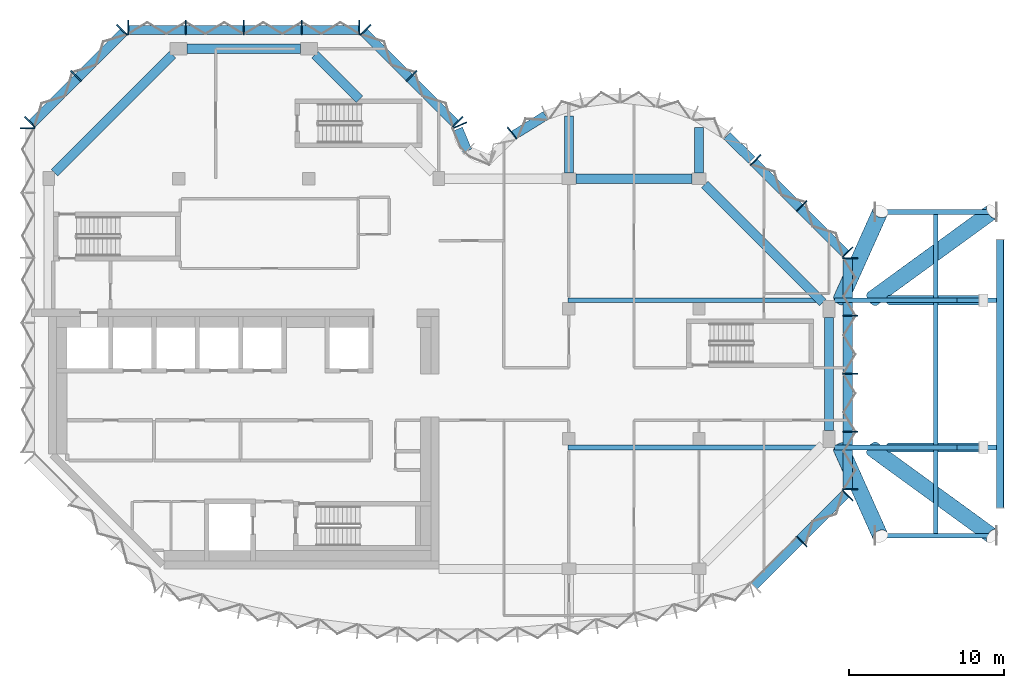
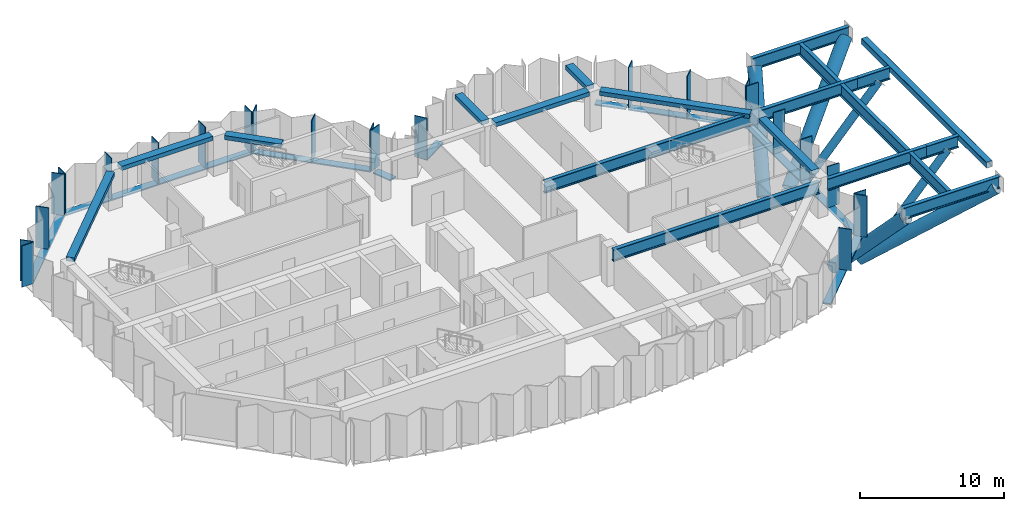
# One storey, part 2 of 11: 41 members, 18 beams, 9 elements without a shape of their own.
"""IFC4 building model written with IfcOpenShell, lengths in metres."""

from ifc_helpers import new_model, si_unit, direction, frame, origin, origin_2d, place, context, subcontext, project, spatial, rectangle, hollow_rectangle, hollow_circle, i_section, extrude, material, material_profile, profile_set, type_object, element, aggregate, save


model = new_model("IFC4")

# Units and contexts
model_context = context("Model", 3, precision=1e-05, world=origin(), true_north=direction((0.0, 1.0)))
body_context = subcontext(model_context, "Body", "Model", "MODEL_VIEW")
ifc_project = project(units=[si_unit("LENGTHUNIT", "METRE"), si_unit("AREAUNIT", "SQUARE_METRE"), si_unit("VOLUMEUNIT", "CUBIC_METRE"), si_unit("PLANEANGLEUNIT", "RADIAN"), si_unit("MASSUNIT", "GRAM", prefix="KILO")], contexts=[model_context])

# Site, building, storey
site_placement = place(None, origin())
site = spatial("IfcSite", under=ifc_project, at=site_placement, CompositionType="ELEMENT")
building_placement = place(site_placement, origin())
building = spatial("IfcBuilding", under=site, at=building_placement, Name="Brevane Broadcast Tower", CompositionType="ELEMENT")
storey_placement = place(building_placement, frame((0.0, 0.0, 219.300048828125)))
storey = spatial("IfcBuildingStorey", under=building, at=storey_placement, Name="L55", CompositionType="ELEMENT", Elevation=219.300048828125)

# Curtain wall, members
ifc_material_1 = material(Name="Aluminium 6063-T6 bronze anodised", Category="aluminium")
curtain_wall_type = type_object("IfcCurtainWallType", Name="CW-1 curtain wall", PredefinedType="NOTDEFINED", material=ifc_material_1)
curtain_wall_1_placement = place(storey_placement, origin())
curtain_wall_1 = element("IfcCurtainWall", 1, at=curtain_wall_1_placement, inside=storey, type_object=curtain_wall_type, Name="CW-1 typical tilted unit L55 south-east chamfer", PredefinedType="NOTDEFINED")
ifc_material_profile_1 = material_profile(ifc_material_1, rectangle(XDim=0.949951171875, YDim=0.070068359375, at=origin_2d()), Name="RECT 70x950")
ifc_profile_set_1 = profile_set([ifc_material_profile_1], Name="Aluminium 6063-T6 bronze anodised")
member_type_1 = type_object("IfcMemberType", Name="CW-1 mullion 70x950", PredefinedType="MULLION", material=ifc_profile_set_1)
member_1_placement = place(storey_placement, frame((48.635986328125, 1.76416015625, -0.150146484375), z_axis=(0.0, 0.0, 1.0), x_axis=(-0.707106781187, 0.707106781187, 0.0)))
member_1 = element("IfcMember", 2, at=member_1_placement, type_object=member_type_1, Name="CW-1 mullion", PredefinedType="MULLION", context=body_context, shape_type="SweptSolid", body=[
    extrude(rectangle(XDim=0.949951171875, YDim=0.070068359375, at=origin_2d()), origin(), (0.0, 0.0, 1.0), 3.5),
])
member_2_placement = place(storey_placement, frame((51.611083984375, 4.7392578125, -0.150146484375), z_axis=(0.0, 0.0, 1.0), x_axis=(-0.707106781187, 0.707106781187, 0.0)))
member_2 = element("IfcMember", 3, at=member_2_placement, type_object=member_type_1, Name="CW-1 mullion", PredefinedType="MULLION", context=body_context, shape_type="SweptSolid", body=[
    extrude(rectangle(XDim=0.949951171875, YDim=0.070068359375, at=origin_2d()), origin(), (0.0, 0.0, 1.0), 3.5),
])

curtain_wall_2_placement = place(storey_placement, origin())
curtain_wall_2 = element("IfcCurtainWall", 4, at=curtain_wall_2_placement, inside=storey, type_object=curtain_wall_type, Name="CW-1 typical tilted unit L55 east end", PredefinedType="NOTDEFINED")
member_3_placement = place(storey_placement, frame((51.77490234375, 5.135009765625, -0.150146484375), z_axis=(0.0, 0.0, 1.0), x_axis=(-1.0, 0.0, 0.0)))
member_3 = element("IfcMember", 5, at=member_3_placement, type_object=member_type_1, Name="CW-1 mullion", PredefinedType="MULLION", context=body_context, shape_type="SweptSolid", body=[
    extrude(rectangle(XDim=0.949951171875, YDim=0.070068359375, at=origin_2d()), origin(), (0.0, 0.0, 1.0), 3.5),
])
member_4_placement = place(storey_placement, frame((51.77490234375, 8.85009765625, -0.150146484375), z_axis=(0.0, 0.0, 1.0), x_axis=(-1.0, 0.0, 0.0)))
member_4 = element("IfcMember", 6, at=member_4_placement, type_object=member_type_1, Name="CW-1 mullion", PredefinedType="MULLION", context=body_context, shape_type="SweptSolid", body=[
    extrude(rectangle(XDim=0.949951171875, YDim=0.070068359375, at=origin_2d()), origin(), (0.0, 0.0, 1.0), 3.5),
])
member_5_placement = place(storey_placement, frame((51.77490234375, 12.60009765625, -0.150146484375), z_axis=(0.0, 0.0, 1.0), x_axis=(-1.0, 0.0, 0.0)))
member_5 = element("IfcMember", 7, at=member_5_placement, type_object=member_type_1, Name="CW-1 mullion", PredefinedType="MULLION", context=body_context, shape_type="SweptSolid", body=[
    extrude(rectangle(XDim=0.949951171875, YDim=0.070068359375, at=origin_2d()), origin(), (0.0, 0.0, 1.0), 3.5),
])
member_6_placement = place(storey_placement, frame((51.77490234375, 16.35009765625, -0.150146484375), z_axis=(0.0, 0.0, 1.0), x_axis=(-1.0, 0.0, 0.0)))
member_6 = element("IfcMember", 8, at=member_6_placement, type_object=member_type_1, Name="CW-1 mullion", PredefinedType="MULLION", context=body_context, shape_type="SweptSolid", body=[
    extrude(rectangle(XDim=0.949951171875, YDim=0.070068359375, at=origin_2d()), origin(), (0.0, 0.0, 1.0), 3.5),
])
member_7_placement = place(storey_placement, frame((51.77490234375, 20.06494140625, -0.150146484375), z_axis=(0.0, 0.0, 1.0), x_axis=(-1.0, 0.0, 0.0)))
member_7 = element("IfcMember", 9, at=member_7_placement, type_object=member_type_1, Name="CW-1 mullion", PredefinedType="MULLION", context=body_context, shape_type="SweptSolid", body=[
    extrude(rectangle(XDim=0.949951171875, YDim=0.070068359375, at=origin_2d()), origin(), (0.0, 0.0, 1.0), 3.5),
])

curtain_wall_3_placement = place(storey_placement, origin())
curtain_wall_3 = element("IfcCurtainWall", 10, at=curtain_wall_3_placement, inside=storey, type_object=curtain_wall_type, Name="CW-1 typical tilted unit L55 north-east chamfer", PredefinedType="NOTDEFINED")
member_8_placement = place(storey_placement, frame((51.611083984375, 20.460693359375, -0.150146484375), z_axis=(0.0, 0.0, 1.0), x_axis=(-0.707106781187, -0.707106781187, 0.0)))
member_8 = element("IfcMember", 11, at=member_8_placement, type_object=member_type_1, Name="CW-1 mullion", PredefinedType="MULLION", context=body_context, shape_type="SweptSolid", body=[
    extrude(rectangle(XDim=0.949951171875, YDim=0.070068359375, at=origin_2d()), origin(), (0.0, 0.0, 1.0), 3.5),
])
member_9_placement = place(storey_placement, frame((48.635986328125, 23.435791015625, -0.150146484375), z_axis=(0.0, 0.0, 1.0), x_axis=(-0.707106781187, -0.707106781187, 0.0)))
member_9 = element("IfcMember", 12, at=member_9_placement, type_object=member_type_1, Name="CW-1 mullion", PredefinedType="MULLION", context=body_context, shape_type="SweptSolid", body=[
    extrude(rectangle(XDim=0.949951171875, YDim=0.070068359375, at=origin_2d()), origin(), (0.0, 0.0, 1.0), 3.5),
])
member_10_placement = place(storey_placement, frame((45.66064453125, 26.4111328125, -0.150146484375), z_axis=(0.0, 0.0, 1.0), x_axis=(-0.707106781187, -0.707106781187, 0.0)))
member_10 = element("IfcMember", 13, at=member_10_placement, type_object=member_type_1, Name="CW-1 mullion", PredefinedType="MULLION", context=body_context, shape_type="SweptSolid", body=[
    extrude(rectangle(XDim=0.949951171875, YDim=0.070068359375, at=origin_2d()), origin(), (0.0, 0.0, 1.0), 3.5),
])

# Curtain wall, member
curtain_wall_4_placement = place(storey_placement, origin())
curtain_wall_4 = element("IfcCurtainWall", 14, at=curtain_wall_4_placement, inside=storey, type_object=curtain_wall_type, Name="CW-1 typical tilted unit L55 east bow", PredefinedType="NOTDEFINED")
member_11_placement = place(storey_placement, frame((29.927978515625, 28.1455078125, -0.150146484375), z_axis=(0.0, 0.0, 1.0), x_axis=(0.614769698862, -0.788706673841, 0.0)))
member_11 = element("IfcMember", 15, at=member_11_placement, type_object=member_type_1, Name="CW-1 mullion", PredefinedType="MULLION", context=body_context, shape_type="SweptSolid", body=[
    extrude(rectangle(XDim=0.949951171875, YDim=0.070068359375, at=origin_2d()), origin(), (0.0, 0.0, 1.0), 3.5),
])

curtain_wall_5_placement = place(storey_placement, origin())
curtain_wall_5 = element("IfcCurtainWall", 16, at=curtain_wall_5_placement, inside=storey, type_object=curtain_wall_type, Name="CW-1 typical tilted unit L55 inner corner", PredefinedType="NOTDEFINED")
member_12_placement = place(storey_placement, frame((26.55224609375, 28.6494140625, -0.150146484375), z_axis=(0.0, 0.0, 1.0), x_axis=(-0.923879532511, -0.382683432365, 0.0)))
member_12 = element("IfcMember", 17, at=member_12_placement, type_object=member_type_1, Name="CW-1 mullion", PredefinedType="MULLION", context=body_context, shape_type="SweptSolid", body=[
    extrude(rectangle(XDim=0.949951171875, YDim=0.070068359375, at=origin_2d()), origin(), (0.0, 0.0, 1.0), 3.5),
])

# Curtain wall, members
curtain_wall_6_placement = place(storey_placement, origin())
curtain_wall_6 = element("IfcCurtainWall", 18, at=curtain_wall_6_placement, inside=storey, type_object=curtain_wall_type, Name="CW-1 typical tilted unit L55 north arm north-east chamfer", PredefinedType="NOTDEFINED")
member_13_placement = place(storey_placement, frame((26.4111328125, 28.860595703125, -0.150146484375), z_axis=(0.0, 0.0, 1.0), x_axis=(-0.707106781187, -0.707106781187, 0.0)))
member_13 = element("IfcMember", 19, at=member_13_placement, type_object=member_type_1, Name="CW-1 mullion", PredefinedType="MULLION", context=body_context, shape_type="SweptSolid", body=[
    extrude(rectangle(XDim=0.949951171875, YDim=0.070068359375, at=origin_2d()), origin(), (0.0, 0.0, 1.0), 3.5),
])
member_14_placement = place(storey_placement, frame((23.435791015625, 31.8359375, -0.150146484375), z_axis=(0.0, 0.0, 1.0), x_axis=(-0.707106781187, -0.707106781187, 0.0)))
member_14 = element("IfcMember", 20, at=member_14_placement, type_object=member_type_1, Name="CW-1 mullion", PredefinedType="MULLION", context=body_context, shape_type="SweptSolid", body=[
    extrude(rectangle(XDim=0.949951171875, YDim=0.070068359375, at=origin_2d()), origin(), (0.0, 0.0, 1.0), 3.5),
])
member_15_placement = place(storey_placement, frame((20.460693359375, 34.81103515625, -0.150146484375), z_axis=(0.0, 0.0, 1.0), x_axis=(-0.707106781187, -0.707106781187, 0.0)))
member_15 = element("IfcMember", 21, at=member_15_placement, type_object=member_type_1, Name="CW-1 mullion", PredefinedType="MULLION", context=body_context, shape_type="SweptSolid", body=[
    extrude(rectangle(XDim=0.949951171875, YDim=0.070068359375, at=origin_2d()), origin(), (0.0, 0.0, 1.0), 3.5),
])

curtain_wall_7_placement = place(storey_placement, origin())
curtain_wall_7 = element("IfcCurtainWall", 22, at=curtain_wall_7_placement, inside=storey, type_object=curtain_wall_type, Name="CW-1 typical tilted unit L55 north end", PredefinedType="NOTDEFINED")
member_16_placement = place(storey_placement, frame((20.06494140625, 34.97509765625, -0.150146484375), z_axis=(0.0, 0.0, 1.0), x_axis=(0.0, -1.0, 0.0)))
member_16 = element("IfcMember", 23, at=member_16_placement, type_object=member_type_1, Name="CW-1 mullion", PredefinedType="MULLION", context=body_context, shape_type="SweptSolid", body=[
    extrude(rectangle(XDim=0.949951171875, YDim=0.070068359375, at=origin_2d()), origin(), (0.0, 0.0, 1.0), 3.5),
])
member_17_placement = place(storey_placement, frame((16.35009765625, 34.97509765625, -0.150146484375), z_axis=(0.0, 0.0, 1.0), x_axis=(0.0, -1.0, 0.0)))
member_17 = element("IfcMember", 24, at=member_17_placement, type_object=member_type_1, Name="CW-1 mullion", PredefinedType="MULLION", context=body_context, shape_type="SweptSolid", body=[
    extrude(rectangle(XDim=0.949951171875, YDim=0.070068359375, at=origin_2d()), origin(), (0.0, 0.0, 1.0), 3.5),
])
member_18_placement = place(storey_placement, frame((12.60009765625, 34.97509765625, -0.150146484375), z_axis=(0.0, 0.0, 1.0), x_axis=(0.0, -1.0, 0.0)))
member_18 = element("IfcMember", 25, at=member_18_placement, type_object=member_type_1, Name="CW-1 mullion", PredefinedType="MULLION", context=body_context, shape_type="SweptSolid", body=[
    extrude(rectangle(XDim=0.949951171875, YDim=0.070068359375, at=origin_2d()), origin(), (0.0, 0.0, 1.0), 3.5),
])
member_19_placement = place(storey_placement, frame((8.85009765625, 34.97509765625, -0.150146484375), z_axis=(0.0, 0.0, 1.0), x_axis=(0.0, -1.0, 0.0)))
member_19 = element("IfcMember", 26, at=member_19_placement, type_object=member_type_1, Name="CW-1 mullion", PredefinedType="MULLION", context=body_context, shape_type="SweptSolid", body=[
    extrude(rectangle(XDim=0.949951171875, YDim=0.070068359375, at=origin_2d()), origin(), (0.0, 0.0, 1.0), 3.5),
])
member_20_placement = place(storey_placement, frame((5.135009765625, 34.97509765625, -0.150146484375), z_axis=(0.0, 0.0, 1.0), x_axis=(0.0, -1.0, 0.0)))
member_20 = element("IfcMember", 27, at=member_20_placement, type_object=member_type_1, Name="CW-1 mullion", PredefinedType="MULLION", context=body_context, shape_type="SweptSolid", body=[
    extrude(rectangle(XDim=0.949951171875, YDim=0.070068359375, at=origin_2d()), origin(), (0.0, 0.0, 1.0), 3.5),
])

curtain_wall_8_placement = place(storey_placement, origin())
curtain_wall_8 = element("IfcCurtainWall", 28, at=curtain_wall_8_placement, inside=storey, type_object=curtain_wall_type, Name="CW-1 typical tilted unit L55 north-west chamfer", PredefinedType="NOTDEFINED")
member_21_placement = place(storey_placement, frame((4.7392578125, 34.81103515625, -0.150146484375), z_axis=(0.0, 0.0, 1.0), x_axis=(0.707106781187, -0.707106781187, 0.0)))
member_21 = element("IfcMember", 29, at=member_21_placement, type_object=member_type_1, Name="CW-1 mullion", PredefinedType="MULLION", context=body_context, shape_type="SweptSolid", body=[
    extrude(rectangle(XDim=0.949951171875, YDim=0.070068359375, at=origin_2d()), origin(), (0.0, 0.0, 1.0), 3.5),
])
member_22_placement = place(storey_placement, frame((1.76416015625, 31.8359375, -0.150146484375), z_axis=(0.0, 0.0, 1.0), x_axis=(0.707106781187, -0.707106781187, 0.0)))
member_22 = element("IfcMember", 30, at=member_22_placement, type_object=member_type_1, Name="CW-1 mullion", PredefinedType="MULLION", context=body_context, shape_type="SweptSolid", body=[
    extrude(rectangle(XDim=0.949951171875, YDim=0.070068359375, at=origin_2d()), origin(), (0.0, 0.0, 1.0), 3.5),
])
member_23_placement = place(storey_placement, frame((-1.211181640625, 28.860595703125, -0.150146484375), z_axis=(0.0, 0.0, 1.0), x_axis=(0.707106781187, -0.707106781187, 0.0)))
member_23 = element("IfcMember", 31, at=member_23_placement, type_object=member_type_1, Name="CW-1 mullion", PredefinedType="MULLION", context=body_context, shape_type="SweptSolid", body=[
    extrude(rectangle(XDim=0.949951171875, YDim=0.070068359375, at=origin_2d()), origin(), (0.0, 0.0, 1.0), 3.5),
])

# Curtain wall, member
curtain_wall_9_placement = place(storey_placement, origin())
curtain_wall_9 = element("IfcCurtainWall", 32, at=curtain_wall_9_placement, inside=storey, type_object=curtain_wall_type, Name="CW-1 typical tilted unit L55 west face", PredefinedType="NOTDEFINED")
member_24_placement = place(storey_placement, frame((-1.375, 28.465087890625, -0.150146484375), z_axis=(0.0, 0.0, 1.0), x_axis=(1.0, 0.0, 0.0)))
member_24 = element("IfcMember", 33, at=member_24_placement, type_object=member_type_1, Name="CW-1 mullion", PredefinedType="MULLION", context=body_context, shape_type="SweptSolid", body=[
    extrude(rectangle(XDim=0.949951171875, YDim=0.070068359375, at=origin_2d()), origin(), (0.0, 0.0, 1.0), 3.5),
])
aggregate(curtain_wall_9, [member_24])

# Member
ifc_material_profile_2 = material_profile(ifc_material_1, rectangle(XDim=0.60009765625, YDim=0.10009765625, at=origin_2d()), Name="RECT 100x600")
ifc_profile_set_2 = profile_set([ifc_material_profile_2], Name="Aluminium 6063-T6 bronze anodised")
member_type_2 = type_object("IfcMemberType", Name="CW-1 transom 100x600", PredefinedType="USERDEFINED", material=ifc_profile_set_2)
member_25_placement = place(storey_placement, frame((45.51220703125, -1.112060546875, -0.199951171875), z_axis=(0.707106781187, 0.707106781187, 0.0), x_axis=(-0.707106781187, 0.707106781187, 0.0)))
member_25 = element("IfcMember", 34, at=member_25_placement, type_object=member_type_2, Name="CW-1 transom", ObjectType="TRANSOM", PredefinedType="USERDEFINED", context=body_context, shape_type="SweptSolid", body=[
    extrude(rectangle(XDim=0.60009765625, YDim=0.10009765625, at=origin_2d()), origin(), (0.0, 0.0, 1.0), 8.4853515625),
])

aggregate(curtain_wall_1, [member_1, member_2, member_25])

member_26_placement = place(storey_placement, frame((51.60009765625, 5.10009765625, -0.199951171875), z_axis=(0.0, 1.0, 0.0), x_axis=(-1.0, 0.0, 0.0)))
member_26 = element("IfcMember", 35, at=member_26_placement, type_object=member_type_2, Name="CW-1 transom", ObjectType="TRANSOM", PredefinedType="USERDEFINED", context=body_context, shape_type="SweptSolid", body=[
    extrude(rectangle(XDim=0.60009765625, YDim=0.10009765625, at=origin_2d()), origin(), (0.0, 0.0, 1.0), 15.0),
])

aggregate(curtain_wall_2, [member_3, member_4, member_5, member_6, member_7, member_26])

member_27_placement = place(storey_placement, frame((51.51220703125, 20.31201171875, -0.199951171875), z_axis=(-0.707106781187, 0.707106781187, 0.0), x_axis=(-0.707106781187, -0.707106781187, 0.0)))
member_27 = element("IfcMember", 36, at=member_27_placement, type_object=member_type_2, Name="CW-1 transom", ObjectType="TRANSOM", PredefinedType="USERDEFINED", context=body_context, shape_type="SweptSolid", body=[
    extrude(rectangle(XDim=0.60009765625, YDim=0.10009765625, at=origin_2d()), origin(), (0.0, 0.0, 1.0), 8.4853515625),
])

aggregate(curtain_wall_3, [member_8, member_9, member_10, member_27])

member_28_placement = place(storey_placement, frame((45.412841796875, 26.407958984375, -0.199951171875), z_axis=(-0.71724215871, 0.696823999134, 0.0), x_axis=(-0.696823999134, -0.71724215871, 0.0)))
member_28 = element("IfcMember", 37, at=member_28_placement, type_object=member_type_2, Name="CW-1 transom", ObjectType="TRANSOM", PredefinedType="USERDEFINED", context=body_context, shape_type="SweptSolid", body=[
    extrude(rectangle(XDim=0.60009765625, YDim=0.10009765625, at=origin_2d()), origin(), (0.0, 0.0, 1.0), 2.247802734375),
])

member_29_placement = place(storey_placement, frame((32.09521484375, 29.281494140625, -0.199951171875), z_axis=(-0.850838211365, -0.525427766759, 0.0), x_axis=(0.525427766759, -0.850838211365, 0.0)))
member_29 = element("IfcMember", 38, at=member_29_placement, type_object=member_type_2, Name="CW-1 transom", ObjectType="TRANSOM", PredefinedType="USERDEFINED", context=body_context, shape_type="SweptSolid", body=[
    extrude(rectangle(XDim=0.60009765625, YDim=0.10009765625, at=origin_2d()), origin(), (0.0, 0.0, 1.0), 2.394775390625),
])

aggregate(curtain_wall_4, [member_11, member_28, member_29])

member_30_placement = place(storey_placement, frame((27.039794921875, 27.0, -0.199951171875), z_axis=(-0.382674472816, 0.923883243627, 0.0), x_axis=(-0.923883243627, -0.382674472816, 0.0)))
member_30 = element("IfcMember", 39, at=member_30_placement, type_object=member_type_2, Name="CW-1 transom", ObjectType="TRANSOM", PredefinedType="USERDEFINED", context=body_context, shape_type="SweptSolid", body=[
    extrude(rectangle(XDim=0.60009765625, YDim=0.10009765625, at=origin_2d()), origin(), (0.0, 0.0, 1.0), 1.536865234375),
])

aggregate(curtain_wall_5, [member_12, member_30])

member_31_placement = place(storey_placement, frame((26.31201171875, 28.712158203125, -0.199951171875), z_axis=(-0.707106781187, 0.707106781187, 0.0), x_axis=(-0.707106781187, -0.707106781187, 0.0)))
member_31 = element("IfcMember", 40, at=member_31_placement, type_object=member_type_2, Name="CW-1 transom", ObjectType="TRANSOM", PredefinedType="USERDEFINED", context=body_context, shape_type="SweptSolid", body=[
    extrude(rectangle(XDim=0.60009765625, YDim=0.10009765625, at=origin_2d()), origin(), (0.0, 0.0, 1.0), 8.4853515625),
])

aggregate(curtain_wall_6, [member_13, member_14, member_15, member_31])

member_32_placement = place(storey_placement, frame((20.10009765625, 34.800048828125, -0.199951171875), z_axis=(-1.0, 0.0, 0.0), x_axis=(0.0, -1.0, 0.0)))
member_32 = element("IfcMember", 41, at=member_32_placement, type_object=member_type_2, Name="CW-1 transom", ObjectType="TRANSOM", PredefinedType="USERDEFINED", context=body_context, shape_type="SweptSolid", body=[
    extrude(rectangle(XDim=0.60009765625, YDim=0.10009765625, at=origin_2d()), origin(), (0.0, 0.0, 1.0), 15.0),
])

aggregate(curtain_wall_7, [member_16, member_17, member_18, member_19, member_20, member_32])

member_33_placement = place(storey_placement, frame((4.887939453125, 34.712158203125, -0.199951171875), z_axis=(-0.707106781187, -0.707106781187, 0.0), x_axis=(0.707106781187, -0.707106781187, 0.0)))
member_33 = element("IfcMember", 42, at=member_33_placement, type_object=member_type_2, Name="CW-1 transom", ObjectType="TRANSOM", PredefinedType="USERDEFINED", context=body_context, shape_type="SweptSolid", body=[
    extrude(rectangle(XDim=0.60009765625, YDim=0.10009765625, at=origin_2d()), origin(), (0.0, 0.0, 1.0), 8.4853515625),
])

aggregate(curtain_wall_8, [member_21, member_22, member_23, member_33])

# Beams
ifc_material_2 = material(Name="Concrete C40/50", Category="concrete")
ifc_material_profile_3 = material_profile(ifc_material_2, rectangle(XDim=0.60009765625, YDim=0.35009765625, at=origin_2d()), Name="RC 600x350")
ifc_profile_set_3 = profile_set([ifc_material_profile_3], Name="Concrete C40/50")
beam_type_1 = type_object("IfcBeamType", Name="RC BRACKET BEAM 600x350 C40/50", PredefinedType="BEAM", material=ifc_profile_set_3)
beam_1_placement = place(storey_placement, frame((33.60009765625, 25.574951171875, 3.175048828125), z_axis=(0.0, 1.0, 0.0), x_axis=(-1.0, 0.0, 0.0)))
element("IfcBeam", 43, at=beam_1_placement, inside=storey, type_object=beam_type_1, Name="EB2 L55-2", PredefinedType="BEAM", context=body_context, shape_type="SweptSolid", body=[
    extrude(rectangle(XDim=0.60009765625, YDim=0.35009765625, at=origin_2d()), origin(), (0.0, 0.0, 1.0), 3.68701171875),
])
beam_2_placement = place(storey_placement, frame((42.0, 25.574951171875, 3.175048828125), z_axis=(0.0, 1.0, 0.0), x_axis=(-1.0, 0.0, 0.0)))
element("IfcBeam", 44, at=beam_2_placement, inside=storey, type_object=beam_type_1, Name="EB2 L55-4", PredefinedType="BEAM", context=body_context, shape_type="SweptSolid", body=[
    extrude(rectangle(XDim=0.60009765625, YDim=0.35009765625, at=origin_2d()), origin(), (0.0, 0.0, 1.0), 2.9365234375),
])
ifc_material_profile_4 = material_profile(ifc_material_2, rectangle(XDim=0.60009765625, YDim=0.35009765625, at=origin_2d()), Name="RC 600x350")
ifc_profile_set_4 = profile_set([ifc_material_profile_4], Name="Concrete C40/50")
beam_type_2 = type_object("IfcBeamType", Name="RC SPANDREL BEAM 600x350 C40/50", PredefinedType="SPANDREL", material=ifc_profile_set_4)
beam_3_placement = place(storey_placement, frame((50.39990234375, 8.949951171875, 3.175048828125), z_axis=(0.0, 1.0, 0.0), x_axis=(-1.0, 0.0, 0.0)))
element("IfcBeam", 45, at=beam_3_placement, inside=storey, type_object=beam_type_2, Name="EB1 L55-4", PredefinedType="SPANDREL", context=body_context, shape_type="SweptSolid", body=[
    extrude(rectangle(XDim=0.60009765625, YDim=0.35009765625, at=origin_2d()), origin(), (0.0, 0.0, 1.0), 7.300048828125),
])
beam_4_placement = place(storey_placement, frame((50.0, 17.199951171875, 3.175048828125), z_axis=(-0.707106781187, 0.707106781187, 0.0), x_axis=(-0.707106781187, -0.707106781187, 0.0)))
element("IfcBeam", 46, at=beam_4_placement, inside=storey, type_object=beam_type_2, Name="EB1 L55-5", PredefinedType="SPANDREL", context=body_context, shape_type="SweptSolid", body=[
    extrude(rectangle(XDim=0.60009765625, YDim=0.35009765625, at=origin_2d()), origin(), (0.0, 0.0, 1.0), 10.783447265625),
])
beam_5_placement = place(storey_placement, frame((41.550048828125, 25.199951171875, 3.175048828125), z_axis=(-1.0, 0.0, 0.0), x_axis=(0.0, -1.0, 0.0)))
element("IfcBeam", 47, at=beam_5_placement, inside=storey, type_object=beam_type_2, Name="EB1 L55-6", PredefinedType="SPANDREL", context=body_context, shape_type="SweptSolid", body=[
    extrude(rectangle(XDim=0.60009765625, YDim=0.35009765625, at=origin_2d()), origin(), (0.0, 0.0, 1.0), 7.5),
])
beam_6_placement = place(storey_placement, frame((20.080078125, 30.320068359375, 3.175048828125), z_axis=(-0.707136751593, 0.70707680951, 0.0), x_axis=(-0.70707680951, -0.707136751593, 0.0)))
element("IfcBeam", 48, at=beam_6_placement, inside=storey, type_object=beam_type_2, Name="EB1 L55-12", PredefinedType="SPANDREL", context=body_context, shape_type="SweptSolid", body=[
    extrude(rectangle(XDim=0.60009765625, YDim=0.35009765625, at=origin_2d()), origin(), (0.0, 0.0, 1.0), 4.072998046875),
])
beam_7_placement = place(storey_placement, frame((16.25, 33.60009765625, 3.175048828125), z_axis=(-1.0, 0.0, 0.0), x_axis=(0.0, -1.0, 0.0)))
element("IfcBeam", 49, at=beam_7_placement, inside=storey, type_object=beam_type_2, Name="EB1 L55-9", PredefinedType="SPANDREL", context=body_context, shape_type="SweptSolid", body=[
    extrude(rectangle(XDim=0.60009765625, YDim=0.35009765625, at=origin_2d()), origin(), (0.0, 0.0, 1.0), 7.300048828125),
])
beam_8_placement = place(storey_placement, frame((8.0, 33.199951171875, 3.175048828125), z_axis=(-0.707106781187, -0.707106781187, 0.0), x_axis=(0.707106781187, -0.707106781187, 0.0)))
element("IfcBeam", 50, at=beam_8_placement, inside=storey, type_object=beam_type_2, Name="EB1 L55-10", PredefinedType="SPANDREL", context=body_context, shape_type="SweptSolid", body=[
    extrude(rectangle(XDim=0.60009765625, YDim=0.35009765625, at=origin_2d()), origin(), (0.0, 0.0, 1.0), 10.783447265625),
])
ifc_material_3 = material(Name="Steel S355", Category="steel")
ifc_material_profile_5 = material_profile(ifc_material_3, hollow_rectangle(XDim=0.5, YDim=0.5, WallThickness=0.02001953125, InnerFilletRadius=0.02001953125, OuterFilletRadius=0.0400390625, at=origin_2d()), Name="RHS 500x500x20")
ifc_profile_set_5 = profile_set([ifc_material_profile_5], Name="Steel S355")
beam_type_3 = type_object("IfcBeamType", Name="STEEL POOL EDGE BEAM RHS 500x500x20 S355", PredefinedType="BEAM", material=ifc_profile_set_5)
beam_9_placement = place(storey_placement, frame((61.449951171875, 3.93994140625, 2.949951171875), z_axis=(0.0, 1.0, 0.0), x_axis=(-1.0, 0.0, 0.0)))
element("IfcBeam", 51, at=beam_9_placement, inside=storey, type_object=beam_type_3, Name="SB8 1", PredefinedType="BEAM", context=body_context, shape_type="SweptSolid", body=[
    extrude(hollow_rectangle(XDim=0.5, YDim=0.5, WallThickness=0.02001953125, InnerFilletRadius=0.02001953125, OuterFilletRadius=0.0400390625, at=origin_2d()), origin(), (0.0, 0.0, 1.0), 17.320068359375),
])
ifc_material_profile_6 = material_profile(ifc_material_3, i_section(OverallWidth=0.302001953125, OverallDepth=1.008056640625, WebThickness=0.02099609375, FlangeThickness=0.0400390625, FilletRadius=0.030029296875, at=origin_2d()), Name="HE 1000 M")
ifc_profile_set_6 = profile_set([ifc_material_profile_6], Name="Steel S355")
beam_type_4 = type_object("IfcBeamType", Name="STEEL POOL GIRDER HE 1000 M S355", PredefinedType="BEAM", material=ifc_profile_set_6)
beam_10_placement = place(storey_placement, frame((33.550048828125, 7.840087890625, 2.696044921875), z_axis=(1.0, 0.0, 0.0), x_axis=(0.0, 1.0, 0.0)))
element("IfcBeam", 52, at=beam_10_placement, inside=storey, type_object=beam_type_4, Name="SB7 B1", PredefinedType="BEAM", context=body_context, shape_type="SweptSolid", body=[
    extrude(i_section(OverallWidth=0.302001953125, OverallDepth=1.008056640625, WebThickness=0.02099609375, FlangeThickness=0.0400390625, FilletRadius=0.030029296875, at=origin_2d()), origin(), (0.0, 0.0, 1.0), 16.5),
])
beam_11_placement = place(storey_placement, frame((50.75, 7.840087890625, 2.696044921875), z_axis=(1.0, 0.0, 0.0), x_axis=(0.0, 1.0, 0.0)))
element("IfcBeam", 53, at=beam_11_placement, inside=storey, type_object=beam_type_4, Name="SB7 1", PredefinedType="BEAM", context=body_context, shape_type="SweptSolid", body=[
    extrude(i_section(OverallWidth=0.302001953125, OverallDepth=1.008056640625, WebThickness=0.02099609375, FlangeThickness=0.0400390625, FilletRadius=0.030029296875, at=origin_2d()), origin(), (0.0, 0.0, 1.0), 7.89990234375),
])
beam_12_placement = place(storey_placement, frame((58.64990234375, 7.840087890625, 2.696044921875), z_axis=(1.0, 0.0, 0.0), x_axis=(0.0, 1.0, 0.0)))
element("IfcBeam", 54, at=beam_12_placement, inside=storey, type_object=beam_type_4, Name="SB7 1t", PredefinedType="BEAM", context=body_context, shape_type="SweptSolid", body=[
    extrude(i_section(OverallWidth=0.302001953125, OverallDepth=1.008056640625, WebThickness=0.02099609375, FlangeThickness=0.0400390625, FilletRadius=0.030029296875, at=origin_2d()), origin(), (0.0, 0.0, 1.0), 2.550048828125),
])
beam_13_placement = place(storey_placement, frame((33.550048828125, 17.360107421875, 2.696044921875), z_axis=(1.0, 0.0, 0.0), x_axis=(0.0, 1.0, 0.0)))
element("IfcBeam", 55, at=beam_13_placement, inside=storey, type_object=beam_type_4, Name="SB7 B2", PredefinedType="BEAM", context=body_context, shape_type="SweptSolid", body=[
    extrude(i_section(OverallWidth=0.302001953125, OverallDepth=1.008056640625, WebThickness=0.02099609375, FlangeThickness=0.0400390625, FilletRadius=0.030029296875, at=origin_2d()), origin(), (0.0, 0.0, 1.0), 16.5),
])
beam_14_placement = place(storey_placement, frame((50.75, 17.360107421875, 2.696044921875), z_axis=(1.0, 0.0, 0.0), x_axis=(0.0, 1.0, 0.0)))
element("IfcBeam", 56, at=beam_14_placement, inside=storey, type_object=beam_type_4, Name="SB7 2", PredefinedType="BEAM", context=body_context, shape_type="SweptSolid", body=[
    extrude(i_section(OverallWidth=0.302001953125, OverallDepth=1.008056640625, WebThickness=0.02099609375, FlangeThickness=0.0400390625, FilletRadius=0.030029296875, at=origin_2d()), origin(), (0.0, 0.0, 1.0), 7.89990234375),
])
beam_15_placement = place(storey_placement, frame((58.64990234375, 17.360107421875, 2.696044921875), z_axis=(1.0, 0.0, 0.0), x_axis=(0.0, 1.0, 0.0)))
element("IfcBeam", 57, at=beam_15_placement, inside=storey, type_object=beam_type_4, Name="SB7 2t", PredefinedType="BEAM", context=body_context, shape_type="SweptSolid", body=[
    extrude(i_section(OverallWidth=0.302001953125, OverallDepth=1.008056640625, WebThickness=0.02099609375, FlangeThickness=0.0400390625, FilletRadius=0.030029296875, at=origin_2d()), origin(), (0.0, 0.0, 1.0), 2.550048828125),
])
beam_16_placement = place(storey_placement, frame((57.300048828125, 2.301025390625, 2.696044921875), z_axis=(0.0, 1.0, 0.0), x_axis=(-1.0, 0.0, 0.0)))
element("IfcBeam", 58, at=beam_16_placement, inside=storey, type_object=beam_type_4, Name="SB7 X1a", PredefinedType="BEAM", context=body_context, shape_type="SweptSolid", body=[
    extrude(i_section(OverallWidth=0.302001953125, OverallDepth=1.008056640625, WebThickness=0.02099609375, FlangeThickness=0.0400390625, FilletRadius=0.030029296875, at=origin_2d()), origin(), (0.0, 0.0, 1.0), 5.387939453125),
])
beam_17_placement = place(storey_placement, frame((57.300048828125, 7.990966796875, 2.696044921875), z_axis=(0.0, 1.0, 0.0), x_axis=(-1.0, 0.0, 0.0)))
element("IfcBeam", 59, at=beam_17_placement, inside=storey, type_object=beam_type_4, Name="SB7 X1b", PredefinedType="BEAM", context=body_context, shape_type="SweptSolid", body=[
    extrude(i_section(OverallWidth=0.302001953125, OverallDepth=1.008056640625, WebThickness=0.02099609375, FlangeThickness=0.0400390625, FilletRadius=0.030029296875, at=origin_2d()), origin(), (0.0, 0.0, 1.0), 9.218017578125),
])
beam_18_placement = place(storey_placement, frame((57.300048828125, 17.510986328125, 2.696044921875), z_axis=(0.0, 1.0, 0.0), x_axis=(-1.0, 0.0, 0.0)))
element("IfcBeam", 60, at=beam_18_placement, inside=storey, type_object=beam_type_4, Name="SB7 X1c", PredefinedType="BEAM", context=body_context, shape_type="SweptSolid", body=[
    extrude(i_section(OverallWidth=0.302001953125, OverallDepth=1.008056640625, WebThickness=0.02099609375, FlangeThickness=0.0400390625, FilletRadius=0.030029296875, at=origin_2d()), origin(), (0.0, 0.0, 1.0), 5.387939453125),
])

# Members
ifc_material_profile_7 = material_profile(ifc_material_3, hollow_circle(Radius=0.508056640625, WallThickness=0.02490234375, at=origin_2d()), Name="CHS 1016x25")
ifc_profile_set_7 = profile_set([ifc_material_profile_7], Name="Steel S355")
member_type_3 = type_object("IfcMemberType", Name="STEEL POOL PROP CHS 1016x25 S355", PredefinedType="BRACE", material=ifc_profile_set_7)
member_34_placement = place(storey_placement, frame((51.183349609375, 7.757080078125, -4.39013671875), z_axis=(0.277195361148, -0.617598531131, 0.736026348784), x_axis=(0.912321287324, 0.409475113646, 0.0)))
element("IfcMember", 61, at=member_34_placement, inside=storey, type_object=member_type_3, Name="SB6 1a", PredefinedType="BRACE", context=body_context, shape_type="SweptSolid", body=[
    extrude(hollow_circle(Radius=0.508056640625, WallThickness=0.02490234375, at=origin_2d()), origin(), (0.0, 0.0, 1.0), 9.138671875),
])
member_35_placement = place(storey_placement, frame((53.210205078125, 7.7490234375, -4.380615234375), z_axis=(0.66181886793, -0.481877717736, 0.57427315034), x_axis=(0.588614938646, 0.808413541452, 0.0)))
element("IfcMember", 62, at=member_35_placement, inside=storey, type_object=member_type_3, Name="SB6 1b", PredefinedType="BRACE", context=body_context, shape_type="SweptSolid", body=[
    extrude(hollow_circle(Radius=0.508056640625, WallThickness=0.02490234375, at=origin_2d()), origin(), (0.0, 0.0, 1.0), 11.67919921875),
])
member_36_placement = place(storey_placement, frame((51.183349609375, 17.44287109375, -4.39013671875), z_axis=(0.277190787667, 0.617615055905, 0.736014204993), x_axis=(-0.912327903836, 0.409460371565, 0.0)))
element("IfcMember", 63, at=member_36_placement, inside=storey, type_object=member_type_3, Name="SB6 2a", PredefinedType="BRACE", context=body_context, shape_type="SweptSolid", body=[
    extrude(hollow_circle(Radius=0.508056640625, WallThickness=0.02490234375, at=origin_2d()), origin(), (0.0, 0.0, 1.0), 9.138916015625),
])
member_37_placement = place(storey_placement, frame((53.210205078125, 17.451171875, -4.380615234375), z_axis=(0.661825534483, 0.481861667573, 0.574278935039), x_axis=(-0.588598250826, 0.808425691777, 0.0)))
element("IfcMember", 64, at=member_37_placement, inside=storey, type_object=member_type_3, Name="SB6 2b", PredefinedType="BRACE", context=body_context, shape_type="SweptSolid", body=[
    extrude(hollow_circle(Radius=0.508056640625, WallThickness=0.02490234375, at=origin_2d()), origin(), (0.0, 0.0, 1.0), 11.678955078125),
])
ifc_material_profile_8 = material_profile(ifc_material_3, hollow_circle(Radius=0.304931640625, WallThickness=0.01611328125, at=origin_2d()), Name="CHS 610x16")
ifc_profile_set_8 = profile_set([ifc_material_profile_8], Name="Steel S355")
member_type_4 = type_object("IfcMemberType", Name="STEEL POOL STRUT CHS 610x16 S355", PredefinedType="BRACE", material=ifc_profile_set_8)
for number, where, z_axis, x_axis, name in (
    (65, (54.3095703125, 7.840087890625, -4.390380859375), (0.673068711665, 0.0, 0.739579954689), (0.0, 1.0, 0.0), "SB4 1a"),
    (66, (54.3095703125, 17.360107421875, -4.390380859375), (0.673068711665, 0.0, 0.739579954689), (0.0, 1.0, 0.0), "SB4 2a"),
):
    element("IfcMember", number, at=place(storey_placement, frame(where, z_axis=z_axis, x_axis=x_axis)), inside=storey, type_object=member_type_4, Name=name, PredefinedType="BRACE", context=body_context, shape_type="SweptSolid", body=[
        extrude(hollow_circle(Radius=0.304931640625, WallThickness=0.01611328125, at=origin_2d()), origin(), (0.0, 0.0, 1.0), 8.960205078125),
    ])
ifc_material_profile_9 = material_profile(ifc_material_3, i_section(OverallWidth=0.302001953125, OverallDepth=1.008056640625, WebThickness=0.02099609375, FlangeThickness=0.0400390625, FilletRadius=0.030029296875, at=origin_2d()), Name="HE 1000 M")
ifc_profile_set_9 = profile_set([ifc_material_profile_9], Name="Steel S355")
member_type_5 = type_object("IfcMemberType", Name="STEEL POOL TRUSS CHORD HE 1000 M S355", PredefinedType="CHORD", material=ifc_profile_set_9)
for number, where, z_axis, x_axis, name in (
    (67, (53.39990234375, 2.14990234375, 2.696044921875), (1.0, 0.0, 0.0), (0.0, 1.0, 0.0), "SB5 S1"),
    (68, (53.39990234375, 23.050048828125, 2.696044921875), (1.0, 0.0, 0.0), (0.0, 1.0, 0.0), "SB5 S2"),
):
    element("IfcMember", number, at=place(storey_placement, frame(where, z_axis=z_axis, x_axis=x_axis)), inside=storey, type_object=member_type_5, Name=name, PredefinedType="CHORD", context=body_context, shape_type="SweptSolid", body=[
        extrude(i_section(OverallWidth=0.302001953125, OverallDepth=1.008056640625, WebThickness=0.02099609375, FlangeThickness=0.0400390625, FilletRadius=0.030029296875, at=origin_2d()), origin(), (0.0, 0.0, 1.0), 7.800048828125),
    ])

save(model, "model.ifc")
